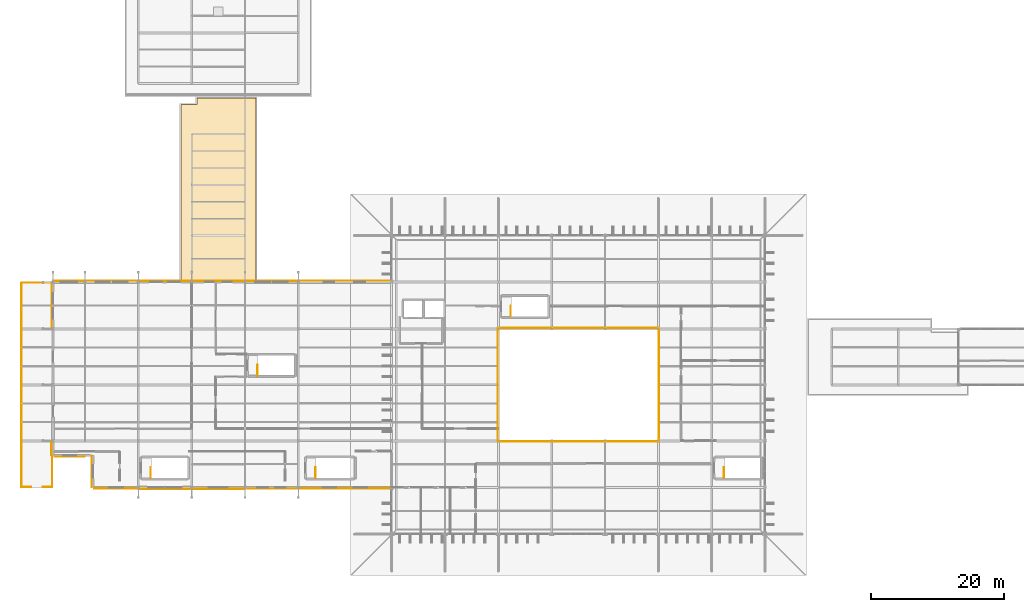
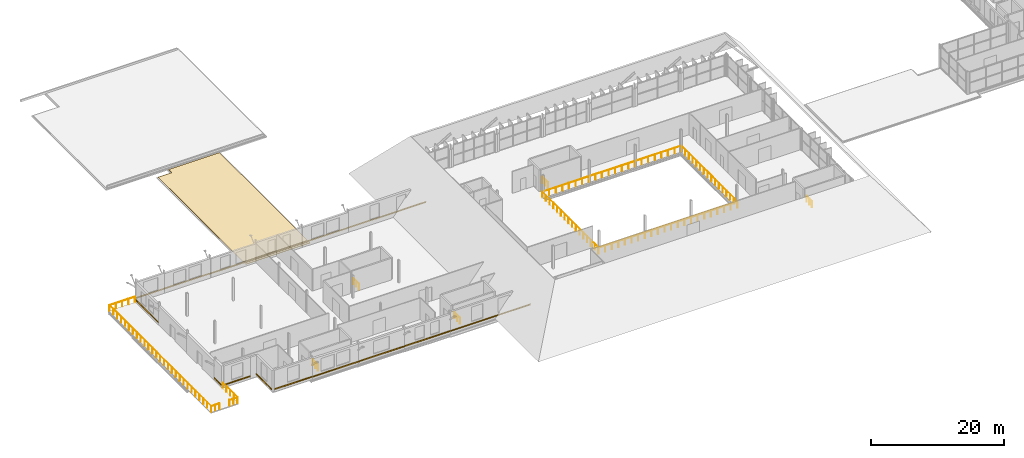
# One storey, part 89 of 93: 16 coverings, 12 railings.
"""IFC4 building model written with IfcOpenShell, lengths in metres."""

import ifcopenshell
import ifcopenshell.guid

model = None  # the IFC model being written
_history = None  # IfcOwnerHistory: only IFC2X3 demands one
_inside = {}  # id of a spatial element -> (the spatial element, [elements in it])
_under = {}  # id of a project, library or spatial element -> (it, [spatial elements below it])
_declared = {}  # id of a project -> (the project, [libraries it declares])
_typed = {}  # id of a type object -> (the type object, [elements of that type])
_made_of = {}  # id of a material, layer set ... -> (it, [elements and type objects made of it])


def new_model(schema):
    """Start an empty IFC model of exactly this schema.

    Asked for "IFC4X3", IfcOpenShell would pick the latest addendum, in which some entities
    have other attributes; the version numbers below select the first issue.
    IFC2X3 requires an IfcOwnerHistory on every rooted entity: one is made here for all.
    """
    global model, _history
    if schema == "IFC4X3":
        model = ifcopenshell.file(schema_version=(4, 3, 0, 0))
    else:
        model = ifcopenshell.file(schema=schema)
    _inside.clear()
    _under.clear()
    _declared.clear()
    _typed.clear()
    _made_of.clear()
    _history = None
    if model.schema == "IFC2X3":
        org = make("IfcOrganization", Name="unknown")
        user = make(
            "IfcPersonAndOrganization",
            ThePerson=make("IfcPerson", FamilyName="unknown"),
            TheOrganization=org,
        )
        app = make(
            "IfcApplication",
            ApplicationDeveloper=org,
            Version="unknown",
            ApplicationFullName="unknown",
            ApplicationIdentifier="unknown",
        )
        _history = make(
            "IfcOwnerHistory",
            OwningUser=user,
            OwningApplication=app,
            ChangeAction="ADDED",
            CreationDate=0,
        )
    return model


def make(cls, **values):
    """One entity of the class cls with the attributes given. An attribute that is None is left unset."""
    return model.create_entity(
        cls, **{name: value for name, value in values.items() if value is not None}
    )


def rooted(cls, **values):
    """An entity with a GlobalId (a new one), such as an element, a storey or a relation."""
    return make(cls, GlobalId=ifcopenshell.guid.new(), OwnerHistory=_history, **values)


def si_unit(unit_type, name, prefix=None):
    """IfcSIUnit, for example si_unit("LENGTHUNIT", "METRE", prefix="MILLI")."""
    return make("IfcSIUnit", UnitType=unit_type, Prefix=prefix, Name=name)


def assignment(units):
    """IfcUnitAssignment: the units of a project."""
    return None if units is None else make("IfcUnitAssignment", Units=units)


def point(xyz):
    """IfcCartesianPoint."""
    return None if xyz is None else make("IfcCartesianPoint", Coordinates=xyz)


def direction(xyz):
    """IfcDirection."""
    return None if xyz is None else make("IfcDirection", DirectionRatios=xyz)


def frame(location, z_axis=None, x_axis=None):
    """IfcAxis2Placement3D, a coordinate frame: its origin and axes. An axis left out is left unset."""
    return make(
        "IfcAxis2Placement3D",
        Location=point(location),
        Axis=direction(z_axis),
        RefDirection=direction(x_axis),
    )


def frame_2d(location, x_axis=None):
    """IfcAxis2Placement2D, a coordinate frame in the plane: its origin and x axis."""
    return make(
        "IfcAxis2Placement2D", Location=point(location), RefDirection=direction(x_axis)
    )


def origin():
    """The frame at (0, 0, 0) with its axes left unset."""
    return frame((0.0, 0.0, 0.0))


def origin_2d():
    """The frame at (0, 0) in the plane with its x axis left unset."""
    return frame_2d((0.0, 0.0))


def place(relative_to, where):
    """IfcLocalPlacement: puts the frame where relative to a parent placement (None: the world)."""
    return make(
        "IfcLocalPlacement", PlacementRelTo=relative_to, RelativePlacement=where
    )


def context(
    kind, dimensions, precision=None, world=None, true_north=None, identifier=None
):
    """IfcGeometricRepresentationContext, for example the 3D "Model" context."""
    return make(
        "IfcGeometricRepresentationContext",
        ContextIdentifier=identifier,
        ContextType=kind,
        CoordinateSpaceDimension=dimensions,
        Precision=precision,
        WorldCoordinateSystem=world,
        TrueNorth=true_north,
    )


def subcontext(parent, identifier, kind, view, scale=None):
    """IfcGeometricRepresentationSubContext, for example "Body" below "Model"."""
    return make(
        "IfcGeometricRepresentationSubContext",
        ContextIdentifier=identifier,
        ContextType=kind,
        ParentContext=parent,
        TargetScale=scale,
        TargetView=view,
    )


def project(units=None, contexts=None):
    """IfcProject with its units and contexts."""
    return rooted(
        "IfcProject",
        Name="project",
        RepresentationContexts=contexts,
        UnitsInContext=assignment(units),
    )


def spatial(cls, under=None, at=None, **own):
    """A site, building, storey or space (cls), placed at a placement, below another one or the project."""
    s = rooted(cls, ObjectPlacement=at, **own)
    if under is not None:
        _under.setdefault(under.id(), (under, []))[1].append(s)
    return s


def polyline(points):
    """IfcPolyline through the points."""
    return make("IfcPolyline", Points=[point(p) for p in points])


def profile(cls, at=None, kind="AREA", **sizes):
    """A parametric profile (cls). Its sizes go by their IFC names, for example OverallWidth=200.0."""
    return make(cls, ProfileType=kind, Position=at, **sizes)


def rectangle(**sizes):
    """IfcRectangleProfileDef."""
    return profile("IfcRectangleProfileDef", **sizes)


def circle(**sizes):
    """IfcCircleProfileDef."""
    return profile("IfcCircleProfileDef", **sizes)


def outline(outer, holes=None, kind="AREA"):
    """IfcArbitraryClosedProfileDef: a profile drawn as a closed curve; with holes, ...WithVoids."""
    if holes is None:
        return make("IfcArbitraryClosedProfileDef", ProfileType=kind, OuterCurve=outer)
    return make(
        "IfcArbitraryProfileDefWithVoids",
        ProfileType=kind,
        OuterCurve=outer,
        InnerCurves=holes,
    )


def extrude(swept, where, along, depth):
    """IfcExtrudedAreaSolid: the profile swept, set in the frame where, extruded along a direction by depth."""
    return make(
        "IfcExtrudedAreaSolid",
        SweptArea=swept,
        Position=where,
        ExtrudedDirection=direction(along),
        Depth=depth,
    )


def shape(context_of_items, identifier, shape_type, items):
    """IfcShapeRepresentation: the items that make up one representation, for example the "Body"."""
    return make(
        "IfcShapeRepresentation",
        ContextOfItems=context_of_items,
        RepresentationIdentifier=identifier,
        RepresentationType=shape_type,
        Items=items,
    )


def material(Name=None, Category=None):
    """IfcMaterial."""
    return make("IfcMaterial", Name=Name, Category=Category)


def layer(
    of_material, thickness, ventilated=None, Name=None, Category=None, Priority=None
):
    """IfcMaterialLayer: one layer of a wall or slab, of a material (None: an air gap)."""
    return make(
        "IfcMaterialLayer",
        Material=of_material,
        LayerThickness=thickness,
        IsVentilated=ventilated,
        Name=Name,
        Category=Category,
        Priority=Priority,
    )


def layer_set(layers, Name=None):
    """IfcMaterialLayerSet."""
    return make("IfcMaterialLayerSet", MaterialLayers=layers, LayerSetName=Name)


def made_of(thing, what):
    """Note that an element or type object is made of a material, layer set ...; save() writes the relation."""
    if what is not None:
        _made_of.setdefault(what.id(), (what, []))[1].append(thing)
    return thing


def type_object(cls, material=None, **own):
    """A type object (cls), such as IfcWallType, which elements share."""
    return made_of(rooted(cls, **own), material)


def element(
    cls,
    number,
    at=None,
    inside=None,
    cuts=None,
    type_object=None,
    material=None,
    context=None,
    identifier="Body",
    shape_type=None,
    held_by="IfcProductDefinitionShape",
    body=None,
    shapes=None,
    **own,
):
    """One element of the class cls, such as IfcWall. Its Tag is "e" and its number.

    at: its placement. inside: the storey or other place that contains it. cuts: it is an
    opening in that element (IfcRelVoidsElement). A single representation is given by context,
    identifier, shape_type and body (its items); several are given by shapes. held_by: the class
    of the entity that holds the representations. save() writes the other relations.
    """
    e = rooted(cls, Tag="e%d" % number, ObjectPlacement=at, **own)
    if body is not None:
        shapes = [shape(context, identifier, shape_type, body)]
    if shapes is not None:
        e.Representation = make(held_by, Representations=shapes)
    if inside is not None:
        _inside.setdefault(inside.id(), (inside, []))[1].append(e)
    if cuts is not None:
        rooted(
            "IfcRelVoidsElement", RelatingBuildingElement=cuts, RelatedOpeningElement=e
        )
    if type_object is not None:
        _typed.setdefault(type_object.id(), (type_object, []))[1].append(e)
    return made_of(e, material)


def aggregate(whole, parts):
    """IfcRelAggregates: a whole, such as a stair, and the parts it consists of."""
    return rooted("IfcRelAggregates", RelatingObject=whole, RelatedObjects=parts)


def save(model, path):
    """Write the relations noted so far, then the file.

    IfcRelAggregates (storeys below a building ...), IfcRelContainedInSpatialStructure (elements
    in a storey), IfcRelDefinesByType, IfcRelAssociatesMaterial and IfcRelDeclares: one each for
    every whole, place, type object, material and project.
    """
    for whole, parts in _under.values():
        aggregate(whole, parts)
    for where, things in _inside.values():
        rooted(
            "IfcRelContainedInSpatialStructure",
            RelatedElements=things,
            RelatingStructure=where,
        )
    for kind, things in _typed.values():
        rooted("IfcRelDefinesByType", RelatedObjects=things, RelatingType=kind)
    for what, things in _made_of.values():
        rooted("IfcRelAssociatesMaterial", RelatedObjects=things, RelatingMaterial=what)
    for by, libraries in _declared.values():
        rooted("IfcRelDeclares", RelatingContext=by, RelatedDefinitions=libraries)
    model.write(path)


model = new_model("IFC4")

# Units and contexts
model_context = context("Model", 3, precision=1e-05, world=origin(), true_north=direction((0.0, 1.0)))
body_context = subcontext(model_context, "Body", "Model", "MODEL_VIEW")
ifc_project = project(units=[si_unit("LENGTHUNIT", "METRE"), si_unit("AREAUNIT", "SQUARE_METRE"), si_unit("VOLUMEUNIT", "CUBIC_METRE"), si_unit("PLANEANGLEUNIT", "RADIAN"), si_unit("MASSUNIT", "GRAM", prefix="KILO")], contexts=[model_context])

# Site, building, storey
site_placement = place(None, origin())
site = spatial("IfcSite", under=ifc_project, at=site_placement, CompositionType="ELEMENT")
building_placement = place(site_placement, origin())
building = spatial("IfcBuilding", under=site, at=building_placement, Name="Vekula Escarpment Museum", CompositionType="ELEMENT")
storey_placement = place(building_placement, frame((0.0, 0.0, 22.199951171875)))
storey = spatial("IfcBuildingStorey", under=building, at=storey_placement, Name="L05", CompositionType="ELEMENT", Elevation=22.199951171875)

# Coverings
ifc_material_1 = material(Name="Polychrome limestone almasik string-course band", Category="masonry")
ifc_layer_1 = layer(ifc_material_1, 0.06005859375)
ifc_layer_set_1 = layer_set([ifc_layer_1], Name="Polychrome limestone almasik string-course band")
covering_type_1 = type_object("IfcCoveringType", Name="COV-ALM-BAND", PredefinedType="CLADDING", material=ifc_layer_set_1)
covering_1_placement = place(storey_placement, frame((25.013916015625, 55.0, 0.41015625), z_axis=(0.0, 0.0, 1.0), x_axis=(0.0, 1.0, 0.0)))
element("IfcCovering", 1, at=covering_1_placement, inside=storey, type_object=covering_type_1, Name="Almasik Stone String Course L05-0634", PredefinedType="CLADDING", context=body_context, shape_type="SweptSolid", body=[
    extrude(rectangle(XDim=4.679931640625, YDim=0.06005859375, at=origin_2d()), origin(), (0.0, 0.0, 1.0), 0.219970703125),
])
covering_2_placement = place(storey_placement, frame((28.681884765625, 52.424072265625, 0.41015625), z_axis=(0.0, 0.0, 1.0), x_axis=(1.0, 0.0, 0.0)))
element("IfcCovering", 2, at=covering_2_placement, inside=storey, type_object=covering_type_1, Name="Almasik Stone String Course L05-0635", PredefinedType="CLADDING", context=body_context, shape_type="SweptSolid", body=[
    extrude(rectangle(XDim=6.51611328125, YDim=0.06005859375, at=origin_2d()), origin(), (0.0, 0.0, 1.0), 0.219970703125),
])
for number, where, z_axis, x_axis, name in (
    (3, (36.0, 52.384033203125, 0.41015625), (0.0, 0.0, 1.0), (1.0, 0.0, 0.0), "Almasik Stone String Course L05-0636"),
    (4, (44.0, 52.39892578125, 0.41015625), (0.0, 0.0, 1.0), (1.0, 0.0, 0.0), "Almasik Stone String Course L05-0637"),
    (5, (52.0, 52.4140625, 0.41015625), (0.0, 0.0, 1.0), (1.0, 0.0, 0.0), "Almasik Stone String Course L05-0638"),
):
    element("IfcCovering", number, at=place(storey_placement, frame(where, z_axis=z_axis, x_axis=x_axis)), inside=storey, type_object=covering_type_1, Name=name, PredefinedType="CLADDING", context=body_context, shape_type="SweptSolid", body=[
        extrude(rectangle(XDim=7.8798828125, YDim=0.06005859375, at=origin_2d()), origin(), (0.0, 0.0, 1.0), 0.219970703125),
    ])
covering_3_placement = place(storey_placement, frame((63.0, 52.424072265625, 0.41015625), z_axis=(0.0, 0.0, 1.0), x_axis=(1.0, 0.0, 0.0)))
element("IfcCovering", 6, at=covering_3_placement, inside=storey, type_object=covering_type_1, Name="Almasik Stone String Course L05-0639", PredefinedType="CLADDING", context=body_context, shape_type="SweptSolid", body=[
    extrude(rectangle(XDim=13.8798828125, YDim=0.06005859375, at=origin_2d()), origin(), (0.0, 0.0, 1.0), 0.219970703125),
])
covering_4_placement = place(storey_placement, frame((62.910400390625, 83.615966796875, 0.41015625), z_axis=(0.0, 0.0, 1.0), x_axis=(1.0, 0.0, 0.0)))
element("IfcCovering", 7, at=covering_4_placement, inside=storey, type_object=covering_type_1, Name="Almasik Stone String Course L05-0640", PredefinedType="CLADDING", context=body_context, shape_type="SweptSolid", body=[
    extrude(rectangle(XDim=13.700927734375, YDim=0.06005859375, at=origin_2d()), origin(), (0.0, 0.0, 1.0), 0.219970703125),
])
for number, where, z_axis, x_axis, name in (
    (8, (52.0, 83.60107421875, 0.41015625), (0.0, 0.0, 1.0), (1.0, 0.0, 0.0), "Almasik Stone String Course L05-0641"),
    (9, (44.0, 83.5859375, 0.41015625), (0.0, 0.0, 1.0), (1.0, 0.0, 0.0), "Almasik Stone String Course L05-0642"),
    (10, (36.0, 83.575927734375, 0.41015625), (0.0, 0.0, 1.0), (1.0, 0.0, 0.0), "Almasik Stone String Course L05-0643"),
    (11, (28.0, 83.615966796875, 0.41015625), (0.0, 0.0, 1.0), (1.0, 0.0, 0.0), "Almasik Stone String Course L05-0644"),
):
    element("IfcCovering", number, at=place(storey_placement, frame(where, z_axis=z_axis, x_axis=x_axis)), inside=storey, type_object=covering_type_1, Name=name, PredefinedType="CLADDING", context=body_context, shape_type="SweptSolid", body=[
        extrude(rectangle(XDim=7.8798828125, YDim=0.06005859375, at=origin_2d()), origin(), (0.0, 0.0, 1.0), 0.219970703125),
    ])
covering_5_placement = place(storey_placement, frame((21.60009765625, 83.60107421875, 0.41015625), z_axis=(0.0, 0.0, 1.0), x_axis=(1.0, 0.0, 0.0)))
element("IfcCovering", 12, at=covering_5_placement, inside=storey, type_object=covering_type_1, Name="Almasik Stone String Course L05-0645", PredefinedType="CLADDING", context=body_context, shape_type="SweptSolid", body=[
    extrude(rectangle(XDim=4.679931640625, YDim=0.06005859375, at=origin_2d()), origin(), (0.0, 0.0, 1.0), 0.219970703125),
])
covering_6_placement = place(storey_placement, frame((19.013916015625, 79.810546875, 0.41015625), z_axis=(0.0, 0.0, 1.0), x_axis=(0.0, 1.0, 0.0)))
element("IfcCovering", 13, at=covering_6_placement, inside=storey, type_object=covering_type_1, Name="Almasik Stone String Course L05-0646", PredefinedType="CLADDING", context=body_context, shape_type="SweptSolid", body=[
    extrude(rectangle(XDim=6.700927734375, YDim=0.06005859375, at=origin_2d()), origin(), (0.0, 0.0, 1.0), 0.219970703125),
])
covering_7_placement = place(storey_placement, frame((18.9990234375, 58.5, 0.41015625), z_axis=(0.0, 0.0, 1.0), x_axis=(0.0, 1.0, 0.0)))
element("IfcCovering", 14, at=covering_7_placement, inside=storey, type_object=covering_type_1, Name="Almasik Stone String Course L05-0647", PredefinedType="CLADDING", context=body_context, shape_type="SweptSolid", body=[
    extrude(rectangle(XDim=2.080078125, YDim=0.06005859375, at=origin_2d()), origin(), (0.0, 0.0, 1.0), 0.219970703125),
])
covering_8_placement = place(storey_placement, frame((21.689453125, 57.214111328125, 0.41015625), z_axis=(0.0, 0.0, 1.0), x_axis=(1.0, 0.0, 0.0)))
element("IfcCovering", 15, at=covering_8_placement, inside=storey, type_object=covering_type_1, Name="Almasik Stone String Course L05-0648", PredefinedType="CLADDING", context=body_context, shape_type="SweptSolid", body=[
    extrude(rectangle(XDim=4.5009765625, YDim=0.06005859375, at=origin_2d()), origin(), (0.0, 0.0, 1.0), 0.219970703125),
])
ifc_material_2 = material(Name="Standing-seam patinated copper roofing", Category="metal")
ifc_layer_2 = layer(ifc_material_2, 0.06005859375)
ifc_layer_set_2 = layer_set([ifc_layer_2], Name="Standing-seam patinated copper roofing")
covering_type_2 = type_object("IfcCoveringType", Name="COV-ROOF-COPPER", PredefinedType="ROOFING", material=ifc_layer_set_2)
covering_9_placement = place(storey_placement, origin())
element("IfcCovering", 16, at=covering_9_placement, inside=storey, type_object=covering_type_2, Name="Overhanging Eave Roof Covering R-L05-V5LNK", PredefinedType="ROOFING", context=body_context, shape_type="SweptSolid", body=[
    extrude(outline(polyline([(38.3798828125, 110.02001953125), (40.780029296875, 110.02001953125), (40.780029296875, 110.9951171875), (49.6201171875, 110.9951171875), (49.6201171875, 83.610107421875), (38.3798828125, 83.610107421875), (38.3798828125, 110.02001953125)])), origin(), (0.0, 0.0, 1.0), 0.06005859375),
])

# Railings
ifc_material_3 = material(Name="Bronze-coated Steel S355 balustrade", Category="steel")
railing_type_1 = type_object("IfcRailingType", Name="RL-ATR-BAL", PredefinedType="BALUSTRADE", material=ifc_material_3)
railing_1_placement = place(storey_placement, frame((85.89990234375, 59.5, 0.0)))
element("IfcRailing", 17, at=railing_1_placement, inside=storey, type_object=railing_type_1, Name="Central Atrium Balustrade L05 S", PredefinedType="BALUSTRADE", context=body_context, shape_type="SweptSolid", body=[
    extrude(circle(Radius=0.02392578125, at=origin_2d()), frame((0.0, 0.0, 1.076171875), z_axis=(1.0, 0.0, 0.0), x_axis=(0.0, 1.0, 0.0)), (0.0, 0.0, 1.0), 24.14013671875),
    extrude(circle(Radius=0.02099609375, at=origin_2d()), origin(), (0.0, 0.0, 1.0), 1.052001953125),
    extrude(circle(Radius=0.02099609375, at=origin_2d()), frame((1.1494140625, 0.0, 0.0)), (0.0, 0.0, 1.0), 1.052001953125),
    extrude(circle(Radius=0.02099609375, at=origin_2d()), frame((2.299072265625, 0.0, 0.0)), (0.0, 0.0, 1.0), 1.052001953125),
    extrude(circle(Radius=0.02099609375, at=origin_2d()), frame((3.448486328125, 0.0, 0.0)), (0.0, 0.0, 1.0), 1.052001953125),
    extrude(circle(Radius=0.02099609375, at=origin_2d()), frame((4.59814453125, 0.0, 0.0)), (0.0, 0.0, 1.0), 1.052001953125),
    extrude(circle(Radius=0.02099609375, at=origin_2d()), frame((5.74755859375, 0.0, 0.0)), (0.0, 0.0, 1.0), 1.052001953125),
    extrude(circle(Radius=0.02099609375, at=origin_2d()), frame((6.897216796875, 0.0, 0.0)), (0.0, 0.0, 1.0), 1.052001953125),
    extrude(circle(Radius=0.02099609375, at=origin_2d()), frame((8.046630859375, 0.0, 0.0)), (0.0, 0.0, 1.0), 1.052001953125),
    extrude(circle(Radius=0.02099609375, at=origin_2d()), frame((9.1962890625, 0.0, 0.0)), (0.0, 0.0, 1.0), 1.052001953125),
    extrude(circle(Radius=0.02099609375, at=origin_2d()), frame((10.345703125, 0.0, 0.0)), (0.0, 0.0, 1.0), 1.052001953125),
    extrude(circle(Radius=0.02099609375, at=origin_2d()), frame((11.495361328125, 0.0, 0.0)), (0.0, 0.0, 1.0), 1.052001953125),
    extrude(circle(Radius=0.02099609375, at=origin_2d()), frame((12.644775390625, 0.0, 0.0)), (0.0, 0.0, 1.0), 1.052001953125),
    extrude(circle(Radius=0.02099609375, at=origin_2d()), frame((13.79443359375, 0.0, 0.0)), (0.0, 0.0, 1.0), 1.052001953125),
    extrude(circle(Radius=0.02099609375, at=origin_2d()), frame((14.94384765625, 0.0, 0.0)), (0.0, 0.0, 1.0), 1.052001953125),
    extrude(circle(Radius=0.02099609375, at=origin_2d()), frame((16.093505859375, 0.0, 0.0)), (0.0, 0.0, 1.0), 1.052001953125),
    extrude(circle(Radius=0.02099609375, at=origin_2d()), frame((17.242919921875, 0.0, 0.0)), (0.0, 0.0, 1.0), 1.052001953125),
    extrude(circle(Radius=0.02099609375, at=origin_2d()), frame((18.392578125, 0.0, 0.0)), (0.0, 0.0, 1.0), 1.052001953125),
    extrude(circle(Radius=0.02099609375, at=origin_2d()), frame((19.5419921875, 0.0, 0.0)), (0.0, 0.0, 1.0), 1.052001953125),
    extrude(circle(Radius=0.02099609375, at=origin_2d()), frame((20.691650390625, 0.0, 0.0)), (0.0, 0.0, 1.0), 1.052001953125),
    extrude(circle(Radius=0.02099609375, at=origin_2d()), frame((21.841064453125, 0.0, 0.0)), (0.0, 0.0, 1.0), 1.052001953125),
    extrude(circle(Radius=0.02099609375, at=origin_2d()), frame((22.99072265625, 0.0, 0.0)), (0.0, 0.0, 1.0), 1.052001953125),
    extrude(circle(Radius=0.02099609375, at=origin_2d()), frame((24.14013671875, 0.0, 0.0)), (0.0, 0.0, 1.0), 1.052001953125),
])
railing_2_placement = place(storey_placement, frame((110.10009765625, 59.5, 0.0)))
element("IfcRailing", 18, at=railing_2_placement, inside=storey, type_object=railing_type_1, Name="Central Atrium Balustrade L05 E", PredefinedType="BALUSTRADE", context=body_context, shape_type="SweptSolid", body=[
    extrude(circle(Radius=0.02392578125, at=origin_2d()), frame((0.0, 0.0, 1.076171875), z_axis=(0.0, 1.0, 0.0), x_axis=(-1.0, 0.0, 0.0)), (0.0, 0.0, 1.0), 16.93994140625),
    extrude(circle(Radius=0.02099609375, at=origin_2d()), origin(), (0.0, 0.0, 1.0), 1.052001953125),
    extrude(circle(Radius=0.02099609375, at=origin_2d()), frame((0.0, 1.12939453125, 0.0)), (0.0, 0.0, 1.0), 1.052001953125),
    extrude(circle(Radius=0.02099609375, at=origin_2d()), frame((0.0, 2.258544921875, 0.0)), (0.0, 0.0, 1.0), 1.052001953125),
    extrude(circle(Radius=0.02099609375, at=origin_2d()), frame((0.0, 3.387939453125, 0.0)), (0.0, 0.0, 1.0), 1.052001953125),
    extrude(circle(Radius=0.02099609375, at=origin_2d()), frame((0.0, 4.517333984375, 0.0)), (0.0, 0.0, 1.0), 1.052001953125),
    extrude(circle(Radius=0.02099609375, at=origin_2d()), frame((0.0, 5.646728515625, 0.0)), (0.0, 0.0, 1.0), 1.052001953125),
    extrude(circle(Radius=0.02099609375, at=origin_2d()), frame((0.0, 6.77587890625, 0.0)), (0.0, 0.0, 1.0), 1.052001953125),
    extrude(circle(Radius=0.02099609375, at=origin_2d()), frame((0.0, 7.9052734375, 0.0)), (0.0, 0.0, 1.0), 1.052001953125),
    extrude(circle(Radius=0.02099609375, at=origin_2d()), frame((0.0, 9.03466796875, 0.0)), (0.0, 0.0, 1.0), 1.052001953125),
    extrude(circle(Radius=0.02099609375, at=origin_2d()), frame((0.0, 10.1640625, 0.0)), (0.0, 0.0, 1.0), 1.052001953125),
    extrude(circle(Radius=0.02099609375, at=origin_2d()), frame((0.0, 11.293212890625, 0.0)), (0.0, 0.0, 1.0), 1.052001953125),
    extrude(circle(Radius=0.02099609375, at=origin_2d()), frame((0.0, 12.422607421875, 0.0)), (0.0, 0.0, 1.0), 1.052001953125),
    extrude(circle(Radius=0.02099609375, at=origin_2d()), frame((0.0, 13.552001953125, 0.0)), (0.0, 0.0, 1.0), 1.052001953125),
    extrude(circle(Radius=0.02099609375, at=origin_2d()), frame((0.0, 14.681396484375, 0.0)), (0.0, 0.0, 1.0), 1.052001953125),
    extrude(circle(Radius=0.02099609375, at=origin_2d()), frame((0.0, 15.810546875, 0.0)), (0.0, 0.0, 1.0), 1.052001953125),
    extrude(circle(Radius=0.02099609375, at=origin_2d()), frame((0.0, 16.93994140625, 0.0)), (0.0, 0.0, 1.0), 1.052001953125),
])
railing_3_placement = place(storey_placement, frame((110.10009765625, 76.5, 0.0)))
element("IfcRailing", 19, at=railing_3_placement, inside=storey, type_object=railing_type_1, Name="Central Atrium Balustrade L05 N", PredefinedType="BALUSTRADE", context=body_context, shape_type="SweptSolid", body=[
    extrude(circle(Radius=0.02392578125, at=origin_2d()), frame((0.0, 0.0, 1.076171875), z_axis=(-1.0, 0.0, 0.0), x_axis=(0.0, -1.0, 0.0)), (0.0, 0.0, 1.0), 24.14013671875),
    extrude(circle(Radius=0.02099609375, at=origin_2d()), origin(), (0.0, 0.0, 1.0), 1.052001953125),
    extrude(circle(Radius=0.02099609375, at=origin_2d()), frame((-1.1494140625, 0.0, 0.0)), (0.0, 0.0, 1.0), 1.052001953125),
    extrude(circle(Radius=0.02099609375, at=origin_2d()), frame((-2.299072265625, 0.0, 0.0)), (0.0, 0.0, 1.0), 1.052001953125),
    extrude(circle(Radius=0.02099609375, at=origin_2d()), frame((-3.448486328125, 0.0, 0.0)), (0.0, 0.0, 1.0), 1.052001953125),
    extrude(circle(Radius=0.02099609375, at=origin_2d()), frame((-4.59814453125, 0.0, 0.0)), (0.0, 0.0, 1.0), 1.052001953125),
    extrude(circle(Radius=0.02099609375, at=origin_2d()), frame((-5.74755859375, 0.0, 0.0)), (0.0, 0.0, 1.0), 1.052001953125),
    extrude(circle(Radius=0.02099609375, at=origin_2d()), frame((-6.897216796875, 0.0, 0.0)), (0.0, 0.0, 1.0), 1.052001953125),
    extrude(circle(Radius=0.02099609375, at=origin_2d()), frame((-8.046630859375, 0.0, 0.0)), (0.0, 0.0, 1.0), 1.052001953125),
    extrude(circle(Radius=0.02099609375, at=origin_2d()), frame((-9.1962890625, 0.0, 0.0)), (0.0, 0.0, 1.0), 1.052001953125),
    extrude(circle(Radius=0.02099609375, at=origin_2d()), frame((-10.345703125, 0.0, 0.0)), (0.0, 0.0, 1.0), 1.052001953125),
    extrude(circle(Radius=0.02099609375, at=origin_2d()), frame((-11.495361328125, 0.0, 0.0)), (0.0, 0.0, 1.0), 1.052001953125),
    extrude(circle(Radius=0.02099609375, at=origin_2d()), frame((-12.644775390625, 0.0, 0.0)), (0.0, 0.0, 1.0), 1.052001953125),
    extrude(circle(Radius=0.02099609375, at=origin_2d()), frame((-13.79443359375, 0.0, 0.0)), (0.0, 0.0, 1.0), 1.052001953125),
    extrude(circle(Radius=0.02099609375, at=origin_2d()), frame((-14.94384765625, 0.0, 0.0)), (0.0, 0.0, 1.0), 1.052001953125),
    extrude(circle(Radius=0.02099609375, at=origin_2d()), frame((-16.093505859375, 0.0, 0.0)), (0.0, 0.0, 1.0), 1.052001953125),
    extrude(circle(Radius=0.02099609375, at=origin_2d()), frame((-17.242919921875, 0.0, 0.0)), (0.0, 0.0, 1.0), 1.052001953125),
    extrude(circle(Radius=0.02099609375, at=origin_2d()), frame((-18.392578125, 0.0, 0.0)), (0.0, 0.0, 1.0), 1.052001953125),
    extrude(circle(Radius=0.02099609375, at=origin_2d()), frame((-19.5419921875, 0.0, 0.0)), (0.0, 0.0, 1.0), 1.052001953125),
    extrude(circle(Radius=0.02099609375, at=origin_2d()), frame((-20.691650390625, 0.0, 0.0)), (0.0, 0.0, 1.0), 1.052001953125),
    extrude(circle(Radius=0.02099609375, at=origin_2d()), frame((-21.841064453125, 0.0, 0.0)), (0.0, 0.0, 1.0), 1.052001953125),
    extrude(circle(Radius=0.02099609375, at=origin_2d()), frame((-22.99072265625, 0.0, 0.0)), (0.0, 0.0, 1.0), 1.052001953125),
    extrude(circle(Radius=0.02099609375, at=origin_2d()), frame((-24.14013671875, 0.0, 0.0)), (0.0, 0.0, 1.0), 1.052001953125),
])
railing_4_placement = place(storey_placement, frame((85.89990234375, 76.5, 0.0)))
element("IfcRailing", 20, at=railing_4_placement, inside=storey, type_object=railing_type_1, Name="Central Atrium Balustrade L05 W", PredefinedType="BALUSTRADE", context=body_context, shape_type="SweptSolid", body=[
    extrude(circle(Radius=0.02392578125, at=origin_2d()), frame((0.0, 0.0, 1.076171875), z_axis=(0.0, -1.0, 0.0), x_axis=(1.0, 0.0, 0.0)), (0.0, 0.0, 1.0), 16.93994140625),
    extrude(circle(Radius=0.02099609375, at=origin_2d()), origin(), (0.0, 0.0, 1.0), 1.052001953125),
    extrude(circle(Radius=0.02099609375, at=origin_2d()), frame((0.0, -1.12939453125, 0.0)), (0.0, 0.0, 1.0), 1.052001953125),
    extrude(circle(Radius=0.02099609375, at=origin_2d()), frame((0.0, -2.258544921875, 0.0)), (0.0, 0.0, 1.0), 1.052001953125),
    extrude(circle(Radius=0.02099609375, at=origin_2d()), frame((0.0, -3.387939453125, 0.0)), (0.0, 0.0, 1.0), 1.052001953125),
    extrude(circle(Radius=0.02099609375, at=origin_2d()), frame((0.0, -4.517333984375, 0.0)), (0.0, 0.0, 1.0), 1.052001953125),
    extrude(circle(Radius=0.02099609375, at=origin_2d()), frame((0.0, -5.646728515625, 0.0)), (0.0, 0.0, 1.0), 1.052001953125),
    extrude(circle(Radius=0.02099609375, at=origin_2d()), frame((0.0, -6.77587890625, 0.0)), (0.0, 0.0, 1.0), 1.052001953125),
    extrude(circle(Radius=0.02099609375, at=origin_2d()), frame((0.0, -7.9052734375, 0.0)), (0.0, 0.0, 1.0), 1.052001953125),
    extrude(circle(Radius=0.02099609375, at=origin_2d()), frame((0.0, -9.03466796875, 0.0)), (0.0, 0.0, 1.0), 1.052001953125),
    extrude(circle(Radius=0.02099609375, at=origin_2d()), frame((0.0, -10.1640625, 0.0)), (0.0, 0.0, 1.0), 1.052001953125),
    extrude(circle(Radius=0.02099609375, at=origin_2d()), frame((0.0, -11.293212890625, 0.0)), (0.0, 0.0, 1.0), 1.052001953125),
    extrude(circle(Radius=0.02099609375, at=origin_2d()), frame((0.0, -12.422607421875, 0.0)), (0.0, 0.0, 1.0), 1.052001953125),
    extrude(circle(Radius=0.02099609375, at=origin_2d()), frame((0.0, -13.552001953125, 0.0)), (0.0, 0.0, 1.0), 1.052001953125),
    extrude(circle(Radius=0.02099609375, at=origin_2d()), frame((0.0, -14.681396484375, 0.0)), (0.0, 0.0, 1.0), 1.052001953125),
    extrude(circle(Radius=0.02099609375, at=origin_2d()), frame((0.0, -15.810546875, 0.0)), (0.0, 0.0, 1.0), 1.052001953125),
    extrude(circle(Radius=0.02099609375, at=origin_2d()), frame((0.0, -16.93994140625, 0.0)), (0.0, 0.0, 1.0), 1.052001953125),
])
ifc_material_4 = material(Name="Painted Steel S355 stair guard", Category="steel")
railing_type_2 = type_object("IfcRailingType", Name="RL-STAIR-GUARD", PredefinedType="GUARDRAIL", material=ifc_material_4)
for number, where, name in (
    (21, (58.570068359375, 54.0, 0.0), "L05 ST-01 top well guard 1"),
    (22, (33.8701171875, 54.0, 0.0), "L05 ST-04 top well guard 1"),
    (23, (119.8701171875, 54.0, 0.0), "L05 ST-08 top well guard 1"),
    (24, (87.8701171875, 78.199951171875, 0.0), "L05 ST-09 top well guard 1"),
    (25, (49.8701171875, 69.39990234375, 0.0), "L05 ST-10 top well guard 1"),
):
    element("IfcRailing", number, at=place(storey_placement, frame(where)), inside=storey, type_object=railing_type_2, Name=name, PredefinedType="GUARDRAIL", context=body_context, shape_type="SweptSolid", body=[
        extrude(circle(Radius=0.02392578125, at=origin_2d()), frame((0.0, 0.0, 1.076171875), z_axis=(0.0, 1.0, 0.0), x_axis=(-1.0, 0.0, 0.0)), (0.0, 0.0, 1.0), 1.6201171875),
        extrude(circle(Radius=0.02099609375, at=origin_2d()), origin(), (0.0, 0.0, 1.0), 1.052001953125),
        extrude(circle(Radius=0.02099609375, at=origin_2d()), frame((0.0, 0.81005859375, 0.0)), (0.0, 0.0, 1.0), 1.052001953125),
        extrude(circle(Radius=0.02099609375, at=origin_2d()), frame((0.0, 1.6201171875, 0.0)), (0.0, 0.0, 1.0), 1.052001953125),
    ])
ifc_material_5 = material(Name="Bronze-coated Steel S355 balustrade", Category="steel")
railing_type_3 = type_object("IfcRailingType", Name="RL-TER-GUARD", PredefinedType="GUARDRAIL", material=ifc_material_5)
railing_5_placement = place(storey_placement, frame((14.489990234375, 52.64990234375, 0.0)))
element("IfcRailing", 26, at=railing_5_placement, inside=storey, type_object=railing_type_3, Name="Terrace Balustrade L05-036", PredefinedType="GUARDRAIL", context=body_context, shape_type="SweptSolid", body=[
    extrude(circle(Radius=0.02392578125, at=origin_2d()), frame((0.0, 0.0, 1.076171875), z_axis=(0.0, 1.0, 0.0), x_axis=(-1.0, 0.0, 0.0)), (0.0, 0.0, 1.0), 30.66015625),
    extrude(circle(Radius=0.02392578125, at=origin_2d()), frame((0.0, 30.66015625, 1.076171875), z_axis=(1.0, 0.0, 0.0), x_axis=(0.0, 1.0, 0.0)), (0.0, 0.0, 1.0), 4.429931640625),
    extrude(circle(Radius=0.02099609375, at=origin_2d()), origin(), (0.0, 0.0, 1.0), 1.052001953125),
    extrude(circle(Radius=0.02099609375, at=origin_2d()), frame((0.0, 1.17919921875, 0.0)), (0.0, 0.0, 1.0), 1.052001953125),
    extrude(circle(Radius=0.02099609375, at=origin_2d()), frame((0.0, 2.3583984375, 0.0)), (0.0, 0.0, 1.0), 1.052001953125),
    extrude(circle(Radius=0.02099609375, at=origin_2d()), frame((0.0, 3.53759765625, 0.0)), (0.0, 0.0, 1.0), 1.052001953125),
    extrude(circle(Radius=0.02099609375, at=origin_2d()), frame((0.0, 4.717041015625, 0.0)), (0.0, 0.0, 1.0), 1.052001953125),
    extrude(circle(Radius=0.02099609375, at=origin_2d()), frame((0.0, 5.896240234375, 0.0)), (0.0, 0.0, 1.0), 1.052001953125),
    extrude(circle(Radius=0.02099609375, at=origin_2d()), frame((0.0, 7.075439453125, 0.0)), (0.0, 0.0, 1.0), 1.052001953125),
    extrude(circle(Radius=0.02099609375, at=origin_2d()), frame((0.0, 8.254638671875, 0.0)), (0.0, 0.0, 1.0), 1.052001953125),
    extrude(circle(Radius=0.02099609375, at=origin_2d()), frame((0.0, 9.433837890625, 0.0)), (0.0, 0.0, 1.0), 1.052001953125),
    extrude(circle(Radius=0.02099609375, at=origin_2d()), frame((0.0, 10.613037109375, 0.0)), (0.0, 0.0, 1.0), 1.052001953125),
    extrude(circle(Radius=0.02099609375, at=origin_2d()), frame((0.0, 11.79248046875, 0.0)), (0.0, 0.0, 1.0), 1.052001953125),
    extrude(circle(Radius=0.02099609375, at=origin_2d()), frame((0.0, 12.9716796875, 0.0)), (0.0, 0.0, 1.0), 1.052001953125),
    extrude(circle(Radius=0.02099609375, at=origin_2d()), frame((0.0, 14.15087890625, 0.0)), (0.0, 0.0, 1.0), 1.052001953125),
    extrude(circle(Radius=0.02099609375, at=origin_2d()), frame((0.0, 15.330078125, 0.0)), (0.0, 0.0, 1.0), 1.052001953125),
    extrude(circle(Radius=0.02099609375, at=origin_2d()), frame((0.0, 16.50927734375, 0.0)), (0.0, 0.0, 1.0), 1.052001953125),
    extrude(circle(Radius=0.02099609375, at=origin_2d()), frame((0.0, 17.6884765625, 0.0)), (0.0, 0.0, 1.0), 1.052001953125),
    extrude(circle(Radius=0.02099609375, at=origin_2d()), frame((0.0, 18.86767578125, 0.0)), (0.0, 0.0, 1.0), 1.052001953125),
    extrude(circle(Radius=0.02099609375, at=origin_2d()), frame((0.0, 20.047119140625, 0.0)), (0.0, 0.0, 1.0), 1.052001953125),
    extrude(circle(Radius=0.02099609375, at=origin_2d()), frame((0.0, 21.226318359375, 0.0)), (0.0, 0.0, 1.0), 1.052001953125),
    extrude(circle(Radius=0.02099609375, at=origin_2d()), frame((0.0, 22.405517578125, 0.0)), (0.0, 0.0, 1.0), 1.052001953125),
    extrude(circle(Radius=0.02099609375, at=origin_2d()), frame((0.0, 23.584716796875, 0.0)), (0.0, 0.0, 1.0), 1.052001953125),
    extrude(circle(Radius=0.02099609375, at=origin_2d()), frame((0.0, 24.763916015625, 0.0)), (0.0, 0.0, 1.0), 1.052001953125),
    extrude(circle(Radius=0.02099609375, at=origin_2d()), frame((0.0, 25.943115234375, 0.0)), (0.0, 0.0, 1.0), 1.052001953125),
    extrude(circle(Radius=0.02099609375, at=origin_2d()), frame((0.0, 27.12255859375, 0.0)), (0.0, 0.0, 1.0), 1.052001953125),
    extrude(circle(Radius=0.02099609375, at=origin_2d()), frame((0.0, 28.3017578125, 0.0)), (0.0, 0.0, 1.0), 1.052001953125),
    extrude(circle(Radius=0.02099609375, at=origin_2d()), frame((0.0, 29.48095703125, 0.0)), (0.0, 0.0, 1.0), 1.052001953125),
    extrude(circle(Radius=0.02099609375, at=origin_2d()), frame((0.0, 30.66015625, 0.0)), (0.0, 0.0, 1.0), 1.052001953125),
    extrude(circle(Radius=0.02099609375, at=origin_2d()), frame((1.107421875, 30.66015625, 0.0)), (0.0, 0.0, 1.0), 1.052001953125),
    extrude(circle(Radius=0.02099609375, at=origin_2d()), frame((2.21484375, 30.66015625, 0.0)), (0.0, 0.0, 1.0), 1.052001953125),
    extrude(circle(Radius=0.02099609375, at=origin_2d()), frame((3.322509765625, 30.66015625, 0.0)), (0.0, 0.0, 1.0), 1.052001953125),
    extrude(circle(Radius=0.02099609375, at=origin_2d()), frame((4.429931640625, 30.66015625, 0.0)), (0.0, 0.0, 1.0), 1.052001953125),
])
railing_6_placement = place(storey_placement, frame((19.090087890625, 57.1201171875, 0.0)))
element("IfcRailing", 27, at=railing_6_placement, inside=storey, type_object=railing_type_3, Name="Terrace Balustrade L05-037", PredefinedType="GUARDRAIL", context=body_context, shape_type="SweptSolid", body=[
    extrude(circle(Radius=0.02392578125, at=origin_2d()), frame((0.0, 0.0, 1.076171875), z_axis=(0.0, -1.0, 0.0), x_axis=(1.0, 0.0, 0.0)), (0.0, 0.0, 1.0), 4.47021484375),
    extrude(circle(Radius=0.02392578125, at=origin_2d()), frame((0.0, -4.47021484375, 1.076171875), z_axis=(-1.0, 0.0, 0.0), x_axis=(0.0, -1.0, 0.0)), (0.0, 0.0, 1.0), 1.41015625),
    extrude(circle(Radius=0.02099609375, at=origin_2d()), origin(), (0.0, 0.0, 1.0), 1.052001953125),
    extrude(circle(Radius=0.02099609375, at=origin_2d()), frame((0.0, -1.11767578125, 0.0)), (0.0, 0.0, 1.0), 1.052001953125),
    extrude(circle(Radius=0.02099609375, at=origin_2d()), frame((0.0, -2.235107421875, 0.0)), (0.0, 0.0, 1.0), 1.052001953125),
    extrude(circle(Radius=0.02099609375, at=origin_2d()), frame((0.0, -3.3525390625, 0.0)), (0.0, 0.0, 1.0), 1.052001953125),
    extrude(circle(Radius=0.02099609375, at=origin_2d()), frame((0.0, -4.47021484375, 0.0)), (0.0, 0.0, 1.0), 1.052001953125),
    extrude(circle(Radius=0.02099609375, at=origin_2d()), frame((-0.705078125, -4.47021484375, 0.0)), (0.0, 0.0, 1.0), 1.052001953125),
    extrude(circle(Radius=0.02099609375, at=origin_2d()), frame((-1.41015625, -4.47021484375, 0.0)), (0.0, 0.0, 1.0), 1.052001953125),
])
railing_7_placement = place(storey_placement, frame((15.919921875, 52.64990234375, 0.0)))
element("IfcRailing", 28, at=railing_7_placement, inside=storey, type_object=railing_type_3, Name="Terrace Balustrade L05-038", PredefinedType="GUARDRAIL", context=body_context, shape_type="SweptSolid", body=[
    extrude(circle(Radius=0.02392578125, at=origin_2d()), frame((0.0, 0.0, 1.076171875), z_axis=(-1.0, 0.0, 0.0), x_axis=(0.0, -1.0, 0.0)), (0.0, 0.0, 1.0), 1.429931640625),
    extrude(circle(Radius=0.02099609375, at=origin_2d()), origin(), (0.0, 0.0, 1.0), 1.052001953125),
    extrude(circle(Radius=0.02099609375, at=origin_2d()), frame((-0.71484375, 0.0, 0.0)), (0.0, 0.0, 1.0), 1.052001953125),
    extrude(circle(Radius=0.02099609375, at=origin_2d()), frame((-1.429931640625, 0.0, 0.0)), (0.0, 0.0, 1.0), 1.052001953125),
])

save(model, "model.ifc")
